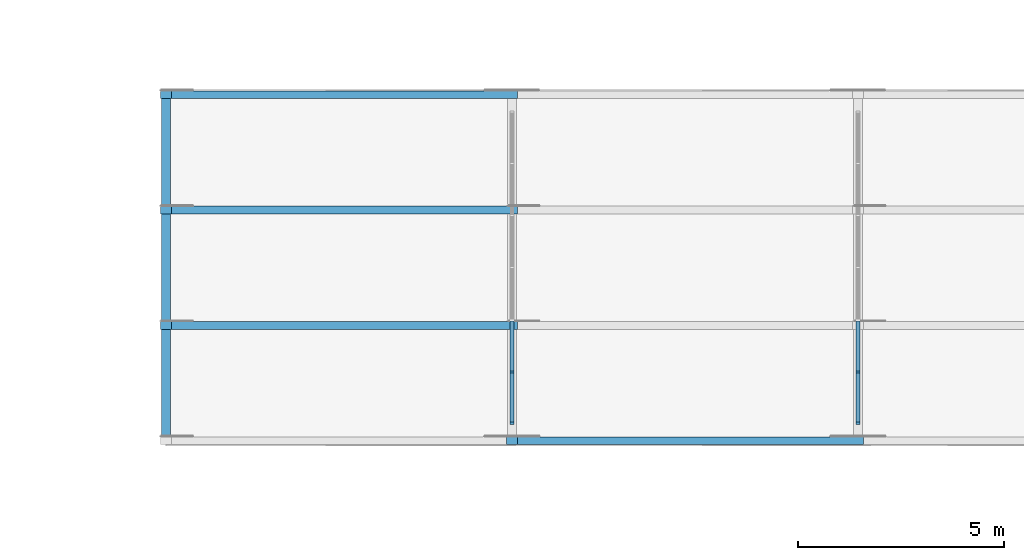
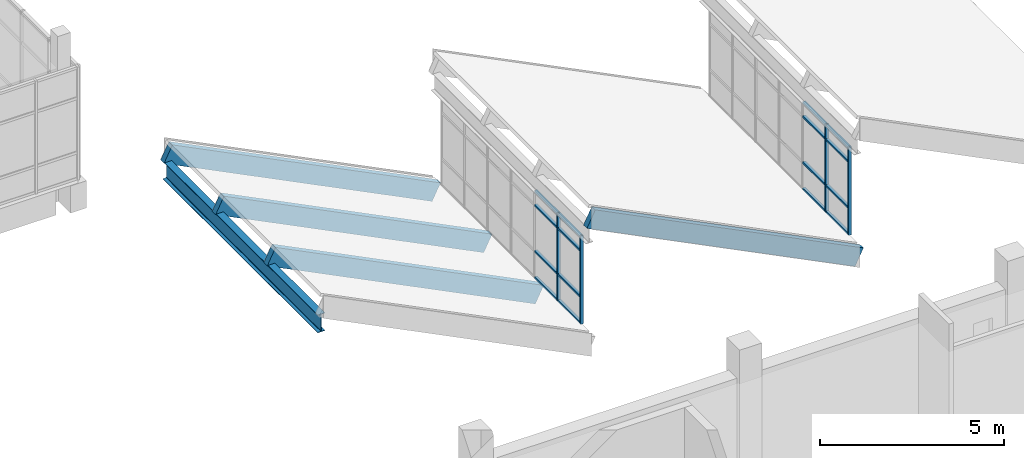
# One storey, part 26 of 103: 20 members, 5 beams, 2 elements without a shape of their own.
"""IFC4 building model written with IfcOpenShell, lengths in metres."""

from ifc_helpers import new_model, si_unit, direction, frame, origin, origin_2d, place, context, subcontext, project, spatial, rectangle, i_section, extrude, material, layer, layer_set, material_profile, profile_set, type_object, element, aggregate, save


model = new_model("IFC4")

# Units and contexts
model_context = context("Model", 3, precision=1e-05, world=origin(), true_north=direction((0.0, 1.0)))
body_context = subcontext(model_context, "Body", "Model", "MODEL_VIEW")
ifc_project = project(units=[si_unit("LENGTHUNIT", "METRE"), si_unit("AREAUNIT", "SQUARE_METRE"), si_unit("VOLUMEUNIT", "CUBIC_METRE"), si_unit("PLANEANGLEUNIT", "RADIAN"), si_unit("MASSUNIT", "GRAM", prefix="KILO")], contexts=[model_context])

# Site, building, storey
site_placement = place(None, origin())
site = spatial("IfcSite", under=ifc_project, at=site_placement, CompositionType="ELEMENT")
building_placement = place(site_placement, origin())
building = spatial("IfcBuilding", under=site, at=building_placement, Name="Larchfold Concert Hall", CompositionType="ELEMENT")
storey_placement = place(building_placement, frame((0.0, 0.0, 9.60009765625)))
storey = spatial("IfcBuildingStorey", under=building, at=storey_placement, Name="L02", CompositionType="ELEMENT", Elevation=9.60009765625)

# Curtain wall, members
ifc_material_1 = material(Name="Anodised graphite aluminium curtain wall", Category="aluminium")
ifc_layer = layer(ifc_material_1, 0.10009765625)
ifc_layer_set = layer_set([ifc_layer], Name="Anodised graphite aluminium curtain wall")
curtain_wall_type = type_object("IfcCurtainWallType", Name="Curtain wall GL", PredefinedType="NOTDEFINED", material=ifc_layer_set)
curtain_wall_1_placement = place(storey_placement, origin())
curtain_wall_1 = element("IfcCurtainWall", 1, at=curtain_wall_1_placement, inside=storey, type_object=curtain_wall_type, Name="Curtain wall CW8002", PredefinedType="NOTDEFINED")
ifc_material_2 = material(Name="Anodised graphite aluminium mullion", Category="aluminium")
ifc_material_profile_1 = material_profile(ifc_material_2, rectangle(XDim=0.10009765625, YDim=0.050048828125, at=origin_2d()))
ifc_profile_set_1 = profile_set([ifc_material_profile_1], Name="Anodised graphite aluminium mullion")
member_type_1 = type_object("IfcMemberType", Name="Aluminium mullion 50x100", PredefinedType="MULLION", material=ifc_profile_set_1)
member_1_placement = place(storey_placement, frame((84.60009765625, 110.224853515625, 0.0), z_axis=(0.0, 0.0, 1.0), x_axis=(-1.0, 0.0, 0.0)))
member_1 = element("IfcMember", 2, at=member_1_placement, type_object=member_type_1, Name="CW8002 mullion 1", PredefinedType="MULLION", context=body_context, shape_type="SweptSolid", body=[
    extrude(rectangle(XDim=0.10009765625, YDim=0.050048828125, at=origin_2d()), origin(), (0.0, 0.0, 1.0), 2.923828125),
])
member_2_placement = place(storey_placement, frame((84.60009765625, 111.466552734375, 0.0), z_axis=(0.0, 0.0, 1.0), x_axis=(-1.0, 0.0, 0.0)))
member_2 = element("IfcMember", 3, at=member_2_placement, type_object=member_type_1, Name="CW8002 mullion 2", PredefinedType="MULLION", context=body_context, shape_type="SweptSolid", body=[
    extrude(rectangle(XDim=0.10009765625, YDim=0.050048828125, at=origin_2d()), origin(), (0.0, 0.0, 1.0), 2.923828125),
])

curtain_wall_2_placement = place(storey_placement, origin())
curtain_wall_2 = element("IfcCurtainWall", 4, at=curtain_wall_2_placement, inside=storey, type_object=curtain_wall_type, Name="Curtain wall CW8003", PredefinedType="NOTDEFINED")
member_3_placement = place(storey_placement, frame((93.0, 110.224853515625, 0.0), z_axis=(0.0, 0.0, 1.0), x_axis=(-1.0, 0.0, 0.0)))
member_3 = element("IfcMember", 5, at=member_3_placement, type_object=member_type_1, Name="CW8003 mullion 1", PredefinedType="MULLION", context=body_context, shape_type="SweptSolid", body=[
    extrude(rectangle(XDim=0.10009765625, YDim=0.050048828125, at=origin_2d()), origin(), (0.0, 0.0, 1.0), 2.923828125),
])
member_4_placement = place(storey_placement, frame((93.0, 111.466552734375, 0.0), z_axis=(0.0, 0.0, 1.0), x_axis=(-1.0, 0.0, 0.0)))
member_4 = element("IfcMember", 6, at=member_4_placement, type_object=member_type_1, Name="CW8003 mullion 2", PredefinedType="MULLION", context=body_context, shape_type="SweptSolid", body=[
    extrude(rectangle(XDim=0.10009765625, YDim=0.050048828125, at=origin_2d()), origin(), (0.0, 0.0, 1.0), 2.923828125),
])

# Member
ifc_material_3 = material(Name="Anodised graphite aluminium transom", Category="aluminium")
ifc_material_profile_2 = material_profile(ifc_material_3, rectangle(XDim=0.090087890625, YDim=0.06005859375, at=origin_2d()))
ifc_profile_set_2 = profile_set([ifc_material_profile_2], Name="Anodised graphite aluminium transom")
member_type_2 = type_object("IfcMemberType", Name="Aluminium transom 60x90", PredefinedType="USERDEFINED", material=ifc_profile_set_2)
member_5_placement = place(storey_placement, frame((84.60009765625, 110.25, 0.030029296875), z_axis=(0.0, 1.0, 0.0), x_axis=(-1.0, 0.0, 0.0)))
member_5 = element("IfcMember", 7, at=member_5_placement, type_object=member_type_2, Name="CW8002 transom 1.1", ObjectType="TRANSOM", PredefinedType="USERDEFINED", context=body_context, shape_type="SweptSolid", body=[
    extrude(rectangle(XDim=0.090087890625, YDim=0.06005859375, at=origin_2d()), origin(), (0.0, 0.0, 1.0), 1.191650390625),
])

member_6_placement = place(storey_placement, frame((84.60009765625, 110.25, 0.89990234375), z_axis=(0.0, 1.0, 0.0), x_axis=(-1.0, 0.0, 0.0)))
member_6 = element("IfcMember", 8, at=member_6_placement, type_object=member_type_2, Name="CW8002 transom 1.2", ObjectType="TRANSOM", PredefinedType="USERDEFINED", context=body_context, shape_type="SweptSolid", body=[
    extrude(rectangle(XDim=0.090087890625, YDim=0.06005859375, at=origin_2d()), origin(), (0.0, 0.0, 1.0), 1.191650390625),
])

member_7_placement = place(storey_placement, frame((84.60009765625, 110.25, 2.423828125), z_axis=(0.0, 1.0, 0.0), x_axis=(-1.0, 0.0, 0.0)))
member_7 = element("IfcMember", 9, at=member_7_placement, type_object=member_type_2, Name="CW8002 transom 1.3", ObjectType="TRANSOM", PredefinedType="USERDEFINED", context=body_context, shape_type="SweptSolid", body=[
    extrude(rectangle(XDim=0.090087890625, YDim=0.06005859375, at=origin_2d()), origin(), (0.0, 0.0, 1.0), 1.191650390625),
])

member_8_placement = place(storey_placement, frame((84.60009765625, 110.25, 2.893798828125), z_axis=(0.0, 1.0, 0.0), x_axis=(-1.0, 0.0, 0.0)))
member_8 = element("IfcMember", 10, at=member_8_placement, type_object=member_type_2, Name="CW8002 transom 1.4", ObjectType="TRANSOM", PredefinedType="USERDEFINED", context=body_context, shape_type="SweptSolid", body=[
    extrude(rectangle(XDim=0.090087890625, YDim=0.06005859375, at=origin_2d()), origin(), (0.0, 0.0, 1.0), 1.191650390625),
])

member_9_placement = place(storey_placement, frame((84.60009765625, 111.49169921875, 0.030029296875), z_axis=(0.0, 1.0, 0.0), x_axis=(-1.0, 0.0, 0.0)))
member_9 = element("IfcMember", 11, at=member_9_placement, type_object=member_type_2, Name="CW8002 transom 2.1", ObjectType="TRANSOM", PredefinedType="USERDEFINED", context=body_context, shape_type="SweptSolid", body=[
    extrude(rectangle(XDim=0.090087890625, YDim=0.06005859375, at=origin_2d()), origin(), (0.0, 0.0, 1.0), 1.216552734375),
])

member_10_placement = place(storey_placement, frame((84.60009765625, 111.49169921875, 0.89990234375), z_axis=(0.0, 1.0, 0.0), x_axis=(-1.0, 0.0, 0.0)))
member_10 = element("IfcMember", 12, at=member_10_placement, type_object=member_type_2, Name="CW8002 transom 2.2", ObjectType="TRANSOM", PredefinedType="USERDEFINED", context=body_context, shape_type="SweptSolid", body=[
    extrude(rectangle(XDim=0.090087890625, YDim=0.06005859375, at=origin_2d()), origin(), (0.0, 0.0, 1.0), 1.216552734375),
])

member_11_placement = place(storey_placement, frame((84.60009765625, 111.49169921875, 2.423828125), z_axis=(0.0, 1.0, 0.0), x_axis=(-1.0, 0.0, 0.0)))
member_11 = element("IfcMember", 13, at=member_11_placement, type_object=member_type_2, Name="CW8002 transom 2.3", ObjectType="TRANSOM", PredefinedType="USERDEFINED", context=body_context, shape_type="SweptSolid", body=[
    extrude(rectangle(XDim=0.090087890625, YDim=0.06005859375, at=origin_2d()), origin(), (0.0, 0.0, 1.0), 1.216552734375),
])

member_12_placement = place(storey_placement, frame((84.60009765625, 111.49169921875, 2.893798828125), z_axis=(0.0, 1.0, 0.0), x_axis=(-1.0, 0.0, 0.0)))
member_12 = element("IfcMember", 14, at=member_12_placement, type_object=member_type_2, Name="CW8002 transom 2.4", ObjectType="TRANSOM", PredefinedType="USERDEFINED", context=body_context, shape_type="SweptSolid", body=[
    extrude(rectangle(XDim=0.090087890625, YDim=0.06005859375, at=origin_2d()), origin(), (0.0, 0.0, 1.0), 1.216552734375),
])

aggregate(curtain_wall_1, [member_1, member_2, member_5, member_6, member_7, member_8, member_9, member_10, member_11, member_12])

member_13_placement = place(storey_placement, frame((93.0, 110.25, 0.030029296875), z_axis=(0.0, 1.0, 0.0), x_axis=(-1.0, 0.0, 0.0)))
member_13 = element("IfcMember", 15, at=member_13_placement, type_object=member_type_2, Name="CW8003 transom 1.1", ObjectType="TRANSOM", PredefinedType="USERDEFINED", context=body_context, shape_type="SweptSolid", body=[
    extrude(rectangle(XDim=0.090087890625, YDim=0.06005859375, at=origin_2d()), origin(), (0.0, 0.0, 1.0), 1.191650390625),
])

member_14_placement = place(storey_placement, frame((93.0, 110.25, 0.89990234375), z_axis=(0.0, 1.0, 0.0), x_axis=(-1.0, 0.0, 0.0)))
member_14 = element("IfcMember", 16, at=member_14_placement, type_object=member_type_2, Name="CW8003 transom 1.2", ObjectType="TRANSOM", PredefinedType="USERDEFINED", context=body_context, shape_type="SweptSolid", body=[
    extrude(rectangle(XDim=0.090087890625, YDim=0.06005859375, at=origin_2d()), origin(), (0.0, 0.0, 1.0), 1.191650390625),
])

member_15_placement = place(storey_placement, frame((93.0, 110.25, 2.423828125), z_axis=(0.0, 1.0, 0.0), x_axis=(-1.0, 0.0, 0.0)))
member_15 = element("IfcMember", 17, at=member_15_placement, type_object=member_type_2, Name="CW8003 transom 1.3", ObjectType="TRANSOM", PredefinedType="USERDEFINED", context=body_context, shape_type="SweptSolid", body=[
    extrude(rectangle(XDim=0.090087890625, YDim=0.06005859375, at=origin_2d()), origin(), (0.0, 0.0, 1.0), 1.191650390625),
])

member_16_placement = place(storey_placement, frame((93.0, 110.25, 2.893798828125), z_axis=(0.0, 1.0, 0.0), x_axis=(-1.0, 0.0, 0.0)))
member_16 = element("IfcMember", 18, at=member_16_placement, type_object=member_type_2, Name="CW8003 transom 1.4", ObjectType="TRANSOM", PredefinedType="USERDEFINED", context=body_context, shape_type="SweptSolid", body=[
    extrude(rectangle(XDim=0.090087890625, YDim=0.06005859375, at=origin_2d()), origin(), (0.0, 0.0, 1.0), 1.191650390625),
])

member_17_placement = place(storey_placement, frame((93.0, 111.49169921875, 0.030029296875), z_axis=(0.0, 1.0, 0.0), x_axis=(-1.0, 0.0, 0.0)))
member_17 = element("IfcMember", 19, at=member_17_placement, type_object=member_type_2, Name="CW8003 transom 2.1", ObjectType="TRANSOM", PredefinedType="USERDEFINED", context=body_context, shape_type="SweptSolid", body=[
    extrude(rectangle(XDim=0.090087890625, YDim=0.06005859375, at=origin_2d()), origin(), (0.0, 0.0, 1.0), 1.216552734375),
])

member_18_placement = place(storey_placement, frame((93.0, 111.49169921875, 0.89990234375), z_axis=(0.0, 1.0, 0.0), x_axis=(-1.0, 0.0, 0.0)))
member_18 = element("IfcMember", 20, at=member_18_placement, type_object=member_type_2, Name="CW8003 transom 2.2", ObjectType="TRANSOM", PredefinedType="USERDEFINED", context=body_context, shape_type="SweptSolid", body=[
    extrude(rectangle(XDim=0.090087890625, YDim=0.06005859375, at=origin_2d()), origin(), (0.0, 0.0, 1.0), 1.216552734375),
])

member_19_placement = place(storey_placement, frame((93.0, 111.49169921875, 2.423828125), z_axis=(0.0, 1.0, 0.0), x_axis=(-1.0, 0.0, 0.0)))
member_19 = element("IfcMember", 21, at=member_19_placement, type_object=member_type_2, Name="CW8003 transom 2.3", ObjectType="TRANSOM", PredefinedType="USERDEFINED", context=body_context, shape_type="SweptSolid", body=[
    extrude(rectangle(XDim=0.090087890625, YDim=0.06005859375, at=origin_2d()), origin(), (0.0, 0.0, 1.0), 1.216552734375),
])

member_20_placement = place(storey_placement, frame((93.0, 111.49169921875, 2.893798828125), z_axis=(0.0, 1.0, 0.0), x_axis=(-1.0, 0.0, 0.0)))
member_20 = element("IfcMember", 22, at=member_20_placement, type_object=member_type_2, Name="CW8003 transom 2.4", ObjectType="TRANSOM", PredefinedType="USERDEFINED", context=body_context, shape_type="SweptSolid", body=[
    extrude(rectangle(XDim=0.090087890625, YDim=0.06005859375, at=origin_2d()), origin(), (0.0, 0.0, 1.0), 1.216552734375),
])

aggregate(curtain_wall_2, [member_3, member_4, member_13, member_14, member_15, member_16, member_17, member_18, member_19, member_20])

# Beams
ifc_material_4 = material(Name="Glulam GL30c", Category="wood")
ifc_material_profile_3 = material_profile(ifc_material_4, rectangle(XDim=0.18994140625, YDim=0.5849609375, at=origin_2d()))
ifc_profile_set_3 = profile_set([ifc_material_profile_3], Name="Glulam GL30c")
beam_type_1 = type_object("IfcBeamType", Name="Glulam beam GL30c 190x585", PredefinedType="BEAM", material=ifc_profile_set_3)
for number, where, z_axis, x_axis, name in (
    (23, (76.199951171875, 112.60009765625, 3.77294921875), (0.89443239007, 0.0, -0.447203197209), (0.0, 1.0, 0.0), "Beam GL2098"),
    (24, (76.199951171875, 115.39990234375, 3.77294921875), (0.89443239007, 0.0, -0.447203197209), (0.0, 1.0, 0.0), "Beam GL2099"),
    (25, (76.199951171875, 118.199951171875, 3.77294921875), (0.89443239007, 0.0, -0.447203197209), (0.0, 1.0, 0.0), "Beam GL2100"),
):
    element("IfcBeam", number, at=place(storey_placement, frame(where, z_axis=z_axis, x_axis=x_axis)), inside=storey, type_object=beam_type_1, Name=name, PredefinedType="BEAM", context=body_context, shape_type="SweptSolid", body=[
        extrude(rectangle(XDim=0.18994140625, YDim=0.5849609375, at=origin_2d()), origin(), (0.0, 0.0, 1.0), 9.3916015625),
    ])
beam_1_placement = place(storey_placement, frame((84.60009765625, 109.800048828125, 3.77294921875), z_axis=(0.894427191, 0.0, -0.4472135955), x_axis=(0.0, 1.0, 0.0)))
element("IfcBeam", 26, at=beam_1_placement, inside=storey, type_object=beam_type_1, Name="Beam GL2101", PredefinedType="BEAM", context=body_context, shape_type="SweptSolid", body=[
    extrude(rectangle(XDim=0.18994140625, YDim=0.5849609375, at=origin_2d()), origin(), (0.0, 0.0, 1.0), 9.391357421875),
])
ifc_material_5 = material(Name="Steel S355", Category="steel")
ifc_material_profile_4 = material_profile(ifc_material_5, i_section(OverallWidth=0.219970703125, OverallDepth=0.60009765625, WebThickness=0.011962890625, FlangeThickness=0.01904296875, FilletRadius=0.02392578125, at=origin_2d()))
ifc_profile_set_4 = profile_set([ifc_material_profile_4], Name="Steel S355")
beam_type_2 = type_object("IfcBeamType", Name="Steel beam IPE 600", PredefinedType="BEAM", material=ifc_profile_set_4)
beam_2_placement = place(storey_placement, frame((76.199951171875, 109.800048828125, 3.223876953125), z_axis=(0.0, 1.0, 0.0), x_axis=(-1.0, 0.0, 0.0)))
element("IfcBeam", 27, at=beam_2_placement, inside=storey, type_object=beam_type_2, Name="Beam B2090", PredefinedType="BEAM", context=body_context, shape_type="SweptSolid", body=[
    extrude(i_section(OverallWidth=0.219970703125, OverallDepth=0.60009765625, WebThickness=0.011962890625, FlangeThickness=0.01904296875, FilletRadius=0.02392578125, at=origin_2d()), origin(), (0.0, 0.0, 1.0), 8.39990234375),
])

save(model, "model.ifc")
